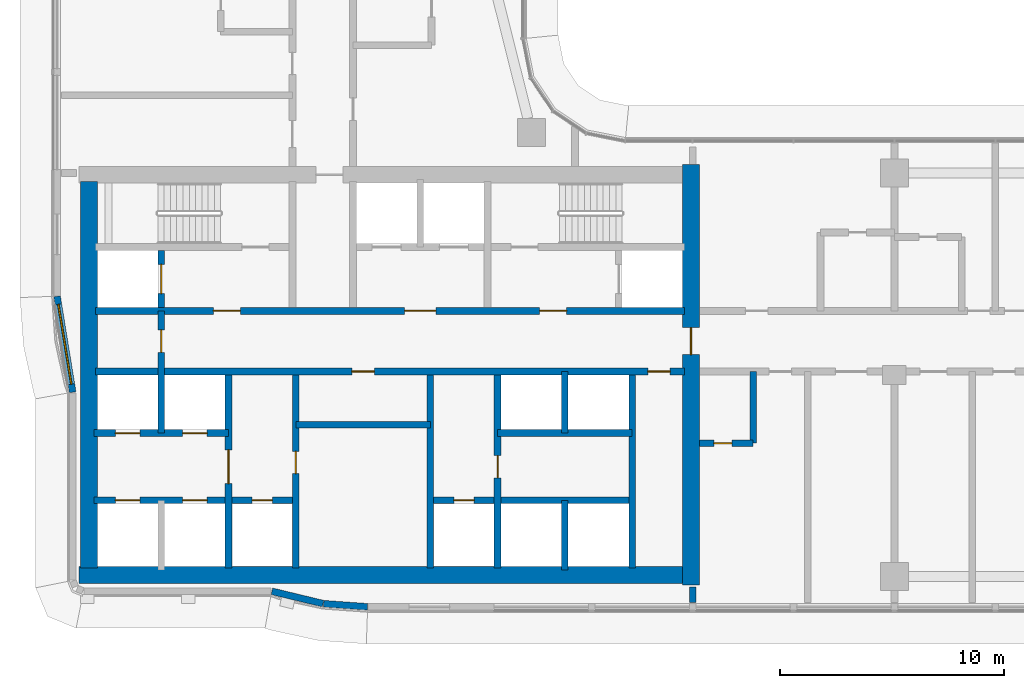
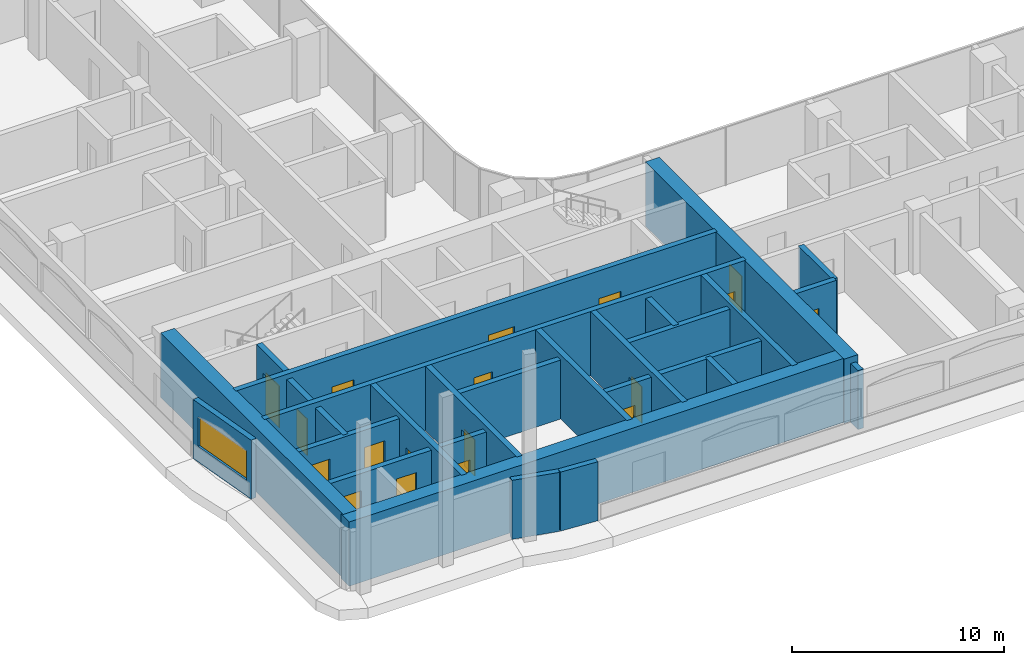
# One storey, part 9 of 25: 25 walls, 18 doors, 1 window, 19 openings.
"""IFC4 building model written with IfcOpenShell, lengths in metres."""

from ifc_helpers import new_model, si_unit, direction, frame, frame_2d, origin, place, context, subcontext, project, spatial, rectangle, extrude, material, layer, layer_set, type_object, element, fill, save


model = new_model("IFC4")

# Units and contexts
model_context = context("Model", 3, precision=1e-05, world=origin(), true_north=direction((0.0, 1.0)))
body_context = subcontext(model_context, "Body", "Model", "MODEL_VIEW")
ifc_project = project(units=[si_unit("LENGTHUNIT", "METRE"), si_unit("AREAUNIT", "SQUARE_METRE"), si_unit("VOLUMEUNIT", "CUBIC_METRE"), si_unit("PLANEANGLEUNIT", "RADIAN"), si_unit("MASSUNIT", "GRAM", prefix="KILO")], contexts=[model_context])

# Site, building, storey
site_placement = place(None, origin())
site = spatial("IfcSite", under=ifc_project, at=site_placement, CompositionType="ELEMENT")
building_placement = place(site_placement, origin())
building = spatial("IfcBuilding", under=site, at=building_placement, Name="Ogive Portal Towers", CompositionType="ELEMENT")
storey_placement = place(building_placement, frame((0.0, 0.0, 105.60009765625)))
storey = spatial("IfcBuildingStorey", under=building, at=storey_placement, Name="L25", CompositionType="ELEMENT", Elevation=105.60009765625)

# Wall, opening, door
ifc_material_1 = material(Name="Concrete C60/75", Category="concrete")
ifc_layer_1 = layer(ifc_material_1, 0.300048828125)
ifc_layer_set_1 = layer_set([ifc_layer_1], Name="CORE WALL 300 C60")
wall_type_1 = type_object("IfcWallType", Name="CORE WALL 300 C60", PredefinedType="SHEAR", material=ifc_layer_set_1)
wall_1_placement = place(storey_placement, frame((37.800048828125, 21.875, 0.0), z_axis=(0.0, 0.0, 1.0), x_axis=(0.0, 1.0, 0.0)))
wall_1 = element("IfcWall", 1, at=wall_1_placement, inside=storey, type_object=wall_type_1, Name="Core wall X1 L25", PredefinedType="SHEAR", context=body_context, shape_type="SweptSolid", body=[
    extrude(rectangle(XDim=8.625, YDim=0.300048828125, at=frame_2d((4.3125, 0.0))), origin(), (0.0, 0.0, 1.0), 3.699951171875),
])
opening_1_placement = place(wall_1_placement, frame((3.77490234375, 0.0, 0.0)))
opening_1 = element("IfcOpeningElement", 2, at=opening_1_placement, cuts=wall_1, Name="Opening D09-001", PredefinedType="OPENING", context=body_context, shape_type="SweptSolid", body=[
    extrude(rectangle(XDim=1.5, YDim=2.10009765625, at=frame_2d((0.75, 1.050048828125))), frame((0.0, 0.16015625, 0.0), z_axis=(0.0, -1.0, 0.0), x_axis=(1.0, 0.0, 0.0)), (0.0, 0.0, 1.0), 0.320068359375),
])
ifc_material_2 = material(Name="Steel fire door", Category="steel")
door_type_1 = type_object("IfcDoorType", Name="DT-SWING-1500x2100-FD90S", OperationType="SINGLE_SWING_LEFT", PredefinedType="DOOR", material=ifc_material_2)
door_1_placement = place(opening_1_placement, origin())
door_1 = element("IfcDoor", 3, at=door_1_placement, inside=storey, type_object=door_type_1, Name="Door D09-001", OperationType="SINGLE_SWING_LEFT", OverallHeight=2.10009765625, OverallWidth=1.5, PredefinedType="DOOR", context=body_context, shape_type="SweptSolid", body=[
    extrude(rectangle(XDim=1.5, YDim=2.10009765625, at=frame_2d((0.75, 1.050048828125))), frame((0.0, 0.02490234375, 0.0), z_axis=(0.0, -1.0, 0.0), x_axis=(1.0, 0.0, 0.0)), (0.0, 0.0, 1.0), 0.050048828125),
])
fill(opening_1, door_1)

wall_2_placement = place(storey_placement, frame((40.800048828125, 21.875, 0.0), z_axis=(0.0, 0.0, 1.0), x_axis=(0.0, 1.0, 0.0)))
wall_2 = element("IfcWall", 4, at=wall_2_placement, inside=storey, type_object=wall_type_1, Name="Core wall X2 L25", PredefinedType="SHEAR", context=body_context, shape_type="SweptSolid", body=[
    extrude(rectangle(XDim=8.625, YDim=0.300048828125, at=frame_2d((4.3125, 0.0))), origin(), (0.0, 0.0, 1.0), 3.699951171875),
])
opening_2_placement = place(wall_2_placement, frame((4.212890625, 0.0, 0.0)))
opening_2 = element("IfcOpeningElement", 5, at=opening_2_placement, cuts=wall_2, Name="Opening D09-021", PredefinedType="OPENING", context=body_context, shape_type="SweptSolid", body=[
    extrude(rectangle(XDim=1.0, YDim=2.10009765625, at=frame_2d((0.5, 1.050048828125))), frame((0.0, 0.16015625, 0.0), z_axis=(0.0, -1.0, 0.0), x_axis=(1.0, 0.0, 0.0)), (0.0, 0.0, 1.0), 0.320068359375),
])
door_type_2 = type_object("IfcDoorType", Name="DT-SWING-1000x2100-FD90S", OperationType="SINGLE_SWING_LEFT", PredefinedType="DOOR", material=ifc_material_2)
door_2_placement = place(opening_2_placement, origin())
door_2 = element("IfcDoor", 6, at=door_2_placement, inside=storey, type_object=door_type_2, Name="Door D09-021", OperationType="SINGLE_SWING_RIGHT", OverallHeight=2.10009765625, OverallWidth=1.0, PredefinedType="DOOR", context=body_context, shape_type="SweptSolid", body=[
    extrude(rectangle(XDim=1.0, YDim=2.10009765625, at=frame_2d((0.5, 1.050048828125))), frame((0.0, 0.02490234375, 0.0), z_axis=(0.0, -1.0, 0.0), x_axis=(1.0, 0.0, 0.0)), (0.0, 0.0, 1.0), 0.050048828125),
])
fill(opening_2, door_2)

# Wall
wall_3_placement = place(storey_placement, frame((46.800048828125, 21.875, 0.0), z_axis=(0.0, 0.0, 1.0), x_axis=(0.0, 1.0, 0.0)))
element("IfcWall", 7, at=wall_3_placement, inside=storey, type_object=wall_type_1, Name="Core wall X3 L25", PredefinedType="SHEAR", context=body_context, shape_type="SweptSolid", body=[
    extrude(rectangle(XDim=8.625, YDim=0.300048828125, at=frame_2d((4.3125, 0.0))), origin(), (0.0, 0.0, 1.0), 3.699951171875),
])

# Wall, opening, door
wall_4_placement = place(storey_placement, frame((49.800048828125, 21.875, 0.0), z_axis=(0.0, 0.0, 1.0), x_axis=(0.0, 1.0, 0.0)))
wall_4 = element("IfcWall", 8, at=wall_4_placement, inside=storey, type_object=wall_type_1, Name="Core wall X4 L25", PredefinedType="SHEAR", context=body_context, shape_type="SweptSolid", body=[
    extrude(rectangle(XDim=8.625, YDim=0.300048828125, at=frame_2d((4.3125, 0.0))), origin(), (0.0, 0.0, 1.0), 3.699951171875),
])
opening_3_placement = place(wall_4_placement, frame((4.02490234375, 0.0, 0.0)))
opening_3 = element("IfcOpeningElement", 9, at=opening_3_placement, cuts=wall_4, Name="Opening D09-022", PredefinedType="OPENING", context=body_context, shape_type="SweptSolid", body=[
    extrude(rectangle(XDim=1.0, YDim=2.10009765625, at=frame_2d((0.5, 1.050048828125))), frame((0.0, 0.16015625, 0.0), z_axis=(0.0, -1.0, 0.0), x_axis=(1.0, 0.0, 0.0)), (0.0, 0.0, 1.0), 0.320068359375),
])
door_3_placement = place(opening_3_placement, origin())
door_3 = element("IfcDoor", 10, at=door_3_placement, inside=storey, type_object=door_type_2, Name="Door D09-022", OperationType="SINGLE_SWING_LEFT", OverallHeight=2.10009765625, OverallWidth=1.0, PredefinedType="DOOR", context=body_context, shape_type="SweptSolid", body=[
    extrude(rectangle(XDim=1.0, YDim=2.10009765625, at=frame_2d((0.5, 1.050048828125))), frame((0.0, 0.02490234375, 0.0), z_axis=(0.0, -1.0, 0.0), x_axis=(1.0, 0.0, 0.0)), (0.0, 0.0, 1.0), 0.050048828125),
])
fill(opening_3, door_3)

# Wall
wall_5_placement = place(storey_placement, frame((55.800048828125, 21.875, 0.0), z_axis=(0.0, 0.0, 1.0), x_axis=(0.0, 1.0, 0.0)))
element("IfcWall", 11, at=wall_5_placement, inside=storey, type_object=wall_type_1, Name="Core wall X5 L25", PredefinedType="SHEAR", context=body_context, shape_type="SweptSolid", body=[
    extrude(rectangle(XDim=8.625, YDim=0.300048828125, at=frame_2d((4.3125, 0.0))), origin(), (0.0, 0.0, 1.0), 3.699951171875),
])

# Wall, openings, doors
wall_6_placement = place(storey_placement, frame((31.875, 30.64990234375, 0.0), z_axis=(0.0, 0.0, 1.0), x_axis=(1.0, 0.0, 0.0)))
wall_6 = element("IfcWall", 12, at=wall_6_placement, inside=storey, type_object=wall_type_1, Name="Core wall Y1 L25", PredefinedType="SHEAR", context=body_context, shape_type="SweptSolid", body=[
    extrude(rectangle(XDim=26.25, YDim=0.300048828125, at=frame_2d((13.125, 0.0))), origin(), (0.0, 0.0, 1.0), 3.699951171875),
])
opening_4_placement = place(wall_6_placement, frame((24.625, 0.0, 0.0)))
opening_4 = element("IfcOpeningElement", 13, at=opening_4_placement, cuts=wall_6, Name="Opening D09-009", PredefinedType="OPENING", context=body_context, shape_type="SweptSolid", body=[
    extrude(rectangle(XDim=1.0, YDim=2.10009765625, at=frame_2d((0.5, 1.050048828125))), frame((0.0, 0.16015625, 0.0), z_axis=(0.0, -1.0, 0.0), x_axis=(1.0, 0.0, 0.0)), (0.0, 0.0, 1.0), 0.320068359375),
])
opening_5_placement = place(wall_6_placement, frame((11.425048828125, 0.0, 0.0)))
opening_5 = element("IfcOpeningElement", 14, at=opening_5_placement, cuts=wall_6, Name="Opening D09-020", PredefinedType="OPENING", context=body_context, shape_type="SweptSolid", body=[
    extrude(rectangle(XDim=1.0, YDim=2.10009765625, at=frame_2d((0.5, 1.050048828125))), frame((0.0, 0.16015625, 0.0), z_axis=(0.0, -1.0, 0.0), x_axis=(1.0, 0.0, 0.0)), (0.0, 0.0, 1.0), 0.320068359375),
])
door_4_placement = place(opening_4_placement, origin())
door_4 = element("IfcDoor", 15, at=door_4_placement, inside=storey, type_object=door_type_2, Name="Door D09-009", OperationType="SINGLE_SWING_LEFT", OverallHeight=2.10009765625, OverallWidth=1.0, PredefinedType="DOOR", context=body_context, shape_type="SweptSolid", body=[
    extrude(rectangle(XDim=1.0, YDim=2.10009765625, at=frame_2d((0.5, 1.050048828125))), frame((0.0, 0.02490234375, 0.0), z_axis=(0.0, -1.0, 0.0), x_axis=(1.0, 0.0, 0.0)), (0.0, 0.0, 1.0), 0.050048828125),
])
fill(opening_4, door_4)
door_5_placement = place(opening_5_placement, origin())
door_5 = element("IfcDoor", 16, at=door_5_placement, inside=storey, type_object=door_type_2, Name="Riser access door D09-020", OperationType="SINGLE_SWING_LEFT", OverallHeight=2.10009765625, OverallWidth=1.0, PredefinedType="DOOR", context=body_context, shape_type="SweptSolid", body=[
    extrude(rectangle(XDim=1.0, YDim=2.10009765625, at=frame_2d((0.5, 1.050048828125))), frame((0.0, 0.02490234375, 0.0), z_axis=(0.0, -1.0, 0.0), x_axis=(1.0, 0.0, 0.0)), (0.0, 0.0, 1.0), 0.050048828125),
])
fill(opening_5, door_5)

wall_7_placement = place(storey_placement, frame((31.875, 33.35009765625, 0.0), z_axis=(0.0, 0.0, 1.0), x_axis=(1.0, 0.0, 0.0)))
wall_7 = element("IfcWall", 17, at=wall_7_placement, inside=storey, type_object=wall_type_1, Name="Core wall Y2 L25", PredefinedType="SHEAR", context=body_context, shape_type="SweptSolid", body=[
    extrude(rectangle(XDim=26.25, YDim=0.300048828125, at=frame_2d((13.125, 0.0))), origin(), (0.0, 0.0, 1.0), 3.699951171875),
])
opening_6_placement = place(wall_7_placement, frame((13.77490234375, 0.0, 0.0)))
opening_6 = element("IfcOpeningElement", 18, at=opening_6_placement, cuts=wall_7, Name="Opening D09-002", PredefinedType="OPENING", context=body_context, shape_type="SweptSolid", body=[
    extrude(rectangle(XDim=1.39990234375, YDim=2.10009765625, at=frame_2d((0.699951171875, 1.050048828125))), frame((0.0, 0.16015625, 0.0), z_axis=(0.0, -1.0, 0.0), x_axis=(1.0, 0.0, 0.0)), (0.0, 0.0, 1.0), 0.320068359375),
])
opening_7_placement = place(wall_7_placement, frame((5.25, 0.0, 0.0)))
opening_7 = element("IfcOpeningElement", 19, at=opening_7_placement, cuts=wall_7, Name="Opening D09-003", PredefinedType="OPENING", context=body_context, shape_type="SweptSolid", body=[
    extrude(rectangle(XDim=1.199951171875, YDim=2.10009765625, at=frame_2d((0.60009765625, 1.050048828125))), frame((0.0, 0.16015625, 0.0), z_axis=(0.0, -1.0, 0.0), x_axis=(1.0, 0.0, 0.0)), (0.0, 0.0, 1.0), 0.320068359375),
])
opening_8_placement = place(wall_7_placement, frame((19.800048828125, 0.0, 0.0)))
opening_8 = element("IfcOpeningElement", 20, at=opening_8_placement, cuts=wall_7, Name="Opening D09-004", PredefinedType="OPENING", context=body_context, shape_type="SweptSolid", body=[
    extrude(rectangle(XDim=1.199951171875, YDim=2.10009765625, at=frame_2d((0.60009765625, 1.050048828125))), frame((0.0, 0.16015625, 0.0), z_axis=(0.0, -1.0, 0.0), x_axis=(1.0, 0.0, 0.0)), (0.0, 0.0, 1.0), 0.320068359375),
])
door_type_3 = type_object("IfcDoorType", Name="DT-SWING-1200x2100-FD90S", OperationType="SINGLE_SWING_LEFT", PredefinedType="DOOR", material=ifc_material_2)
door_6_placement = place(opening_7_placement, origin())
door_6 = element("IfcDoor", 21, at=door_6_placement, inside=storey, type_object=door_type_3, Name="Door D09-003", OperationType="SINGLE_SWING_LEFT", OverallHeight=2.10009765625, OverallWidth=1.199951171875, PredefinedType="DOOR", context=body_context, shape_type="SweptSolid", body=[
    extrude(rectangle(XDim=1.199951171875, YDim=2.10009765625, at=frame_2d((0.60009765625, 1.050048828125))), frame((0.0, 0.02490234375, 0.0), z_axis=(0.0, -1.0, 0.0), x_axis=(1.0, 0.0, 0.0)), (0.0, 0.0, 1.0), 0.050048828125),
])
fill(opening_7, door_6)
door_7_placement = place(opening_8_placement, origin())
door_7 = element("IfcDoor", 22, at=door_7_placement, inside=storey, type_object=door_type_3, Name="Door D09-004", OperationType="SINGLE_SWING_RIGHT", OverallHeight=2.10009765625, OverallWidth=1.199951171875, PredefinedType="DOOR", context=body_context, shape_type="SweptSolid", body=[
    extrude(rectangle(XDim=1.199951171875, YDim=2.10009765625, at=frame_2d((0.60009765625, 1.050048828125))), frame((0.0, 0.02490234375, 0.0), z_axis=(0.0, -1.0, 0.0), x_axis=(1.0, 0.0, 0.0)), (0.0, 0.0, 1.0), 0.050048828125),
])
fill(opening_8, door_7)
door_type_4 = type_object("IfcDoorType", Name="DT-SWING-1400x2100-FD90S", OperationType="SINGLE_SWING_LEFT", PredefinedType="DOOR", material=ifc_material_2)
door_8_placement = place(opening_6_placement, origin())
door_8 = element("IfcDoor", 23, at=door_8_placement, inside=storey, type_object=door_type_4, Name="Door D09-002", OperationType="SINGLE_SWING_RIGHT", OverallHeight=2.10009765625, OverallWidth=1.39990234375, PredefinedType="DOOR", context=body_context, shape_type="SweptSolid", body=[
    extrude(rectangle(XDim=1.39990234375, YDim=2.10009765625, at=frame_2d((0.699951171875, 1.050048828125))), frame((0.0, 0.02490234375, 0.0), z_axis=(0.0, -1.0, 0.0), x_axis=(1.0, 0.0, 0.0)), (0.0, 0.0, 1.0), 0.050048828125),
])
fill(opening_6, door_8)

# Wall, opening, door
wall_8_placement = place(storey_placement, frame((34.800048828125, 33.5, 0.0), z_axis=(0.0, 0.0, 1.0), x_axis=(0.0, 1.0, 0.0)))
wall_8 = element("IfcWall", 24, at=wall_8_placement, inside=storey, type_object=wall_type_1, Name="Core wall X8 L25", PredefinedType="SHEAR", context=body_context, shape_type="SweptSolid", body=[
    extrude(rectangle(XDim=2.550048828125, YDim=0.300048828125, at=frame_2d((1.27490234375, 0.0))), origin(), (0.0, 0.0, 1.0), 3.699951171875),
])
opening_9_placement = place(wall_8_placement, frame((0.625, 0.0, 0.0)))
opening_9 = element("IfcOpeningElement", 25, at=opening_9_placement, cuts=wall_8, Name="Opening D09-018", PredefinedType="OPENING", context=body_context, shape_type="SweptSolid", body=[
    extrude(rectangle(XDim=1.300048828125, YDim=2.39990234375, at=frame_2d((0.64990234375, 1.199951171875))), frame((0.0, 0.16015625, 0.0), z_axis=(0.0, -1.0, 0.0), x_axis=(1.0, 0.0, 0.0)), (0.0, 0.0, 1.0), 0.320068359375),
])
ifc_material_3 = material(Name="Stainless steel", Category="steel")
door_type_5 = type_object("IfcDoorType", Name="DT-LD-1300x2400", OperationType="SLIDING_TO_LEFT", PredefinedType="DOOR", material=ifc_material_3)
door_9_placement = place(opening_9_placement, origin())
door_9 = element("IfcDoor", 26, at=door_9_placement, inside=storey, type_object=door_type_5, Name="Door D09-018", OperationType="SLIDING_TO_LEFT", OverallHeight=2.39990234375, OverallWidth=1.300048828125, PredefinedType="DOOR", context=body_context, shape_type="SweptSolid", body=[
    extrude(rectangle(XDim=1.300048828125, YDim=2.39990234375, at=frame_2d((0.64990234375, 1.199951171875))), frame((0.0, 0.02490234375, 0.0), z_axis=(0.0, -1.0, 0.0), x_axis=(1.0, 0.0, 0.0)), (0.0, 0.0, 1.0), 0.050048828125),
])
fill(opening_9, door_9)

# Walls
ifc_layer_2 = layer(ifc_material_1, 0.75)
ifc_layer_set_2 = layer_set([ifc_layer_2], Name="CORE WALL 750 C60")
wall_type_2 = type_object("IfcWallType", Name="CORE WALL 750 C60", PredefinedType="SHEAR", material=ifc_layer_set_2)
wall_9_placement = place(storey_placement, frame((31.574951171875, 21.875, 0.0), z_axis=(0.0, 0.0, 1.0), x_axis=(0.0, 1.0, 0.0)))
element("IfcWall", 27, at=wall_9_placement, inside=storey, type_object=wall_type_2, Name="Core wall W L25", PredefinedType="SHEAR", context=body_context, shape_type="SweptSolid", body=[
    extrude(rectangle(XDim=17.25, YDim=0.75, at=frame_2d((8.625, 0.0))), origin(), (0.0, 0.0, 1.0), 3.699951171875),
])
wall_10_placement = place(storey_placement, frame((31.125, 21.574951171875, 0.0), z_axis=(0.0, 0.0, 1.0), x_axis=(1.0, 0.0, 0.0)))
element("IfcWall", 28, at=wall_10_placement, inside=storey, type_object=wall_type_2, Name="Core wall S L25", PredefinedType="SHEAR", context=body_context, shape_type="SweptSolid", body=[
    extrude(rectangle(XDim=27.0, YDim=0.75, at=frame_2d((13.5, 0.0))), origin(), (0.0, 0.0, 1.0), 3.699951171875),
])

# Wall, opening, door
wall_11_placement = place(storey_placement, frame((58.425048828125, 21.125, 0.0), z_axis=(0.0, 0.0, 1.0), x_axis=(0.0, 1.0, 0.0)))
wall_11 = element("IfcWall", 29, at=wall_11_placement, inside=storey, type_object=wall_type_2, Name="Core wall E L25", PredefinedType="SHEAR", context=body_context, shape_type="SweptSolid", body=[
    extrude(rectangle(XDim=18.75, YDim=0.75, at=frame_2d((9.375, 0.0))), origin(), (0.0, 0.0, 1.0), 3.699951171875),
])
opening_10_placement = place(wall_11_placement, frame((10.27490234375, 0.0, 0.0)))
opening_10 = element("IfcOpeningElement", 30, at=opening_10_placement, cuts=wall_11, Name="Opening D09-010", PredefinedType="OPENING", context=body_context, shape_type="SweptSolid", body=[
    extrude(rectangle(XDim=1.199951171875, YDim=2.10009765625, at=frame_2d((0.60009765625, 1.050048828125))), frame((0.0, 0.385009765625, 0.0), z_axis=(0.0, -1.0, 0.0), x_axis=(1.0, 0.0, 0.0)), (0.0, 0.0, 1.0), 0.77001953125),
])
door_10_placement = place(opening_10_placement, origin())
door_10 = element("IfcDoor", 31, at=door_10_placement, inside=storey, type_object=door_type_3, Name="Door D09-010", OperationType="SINGLE_SWING_LEFT", OverallHeight=2.10009765625, OverallWidth=1.199951171875, PredefinedType="DOOR", context=body_context, shape_type="SweptSolid", body=[
    extrude(rectangle(XDim=1.199951171875, YDim=2.10009765625, at=frame_2d((0.60009765625, 1.050048828125))), frame((0.0, 0.02490234375, 0.0), z_axis=(0.0, -1.0, 0.0), x_axis=(1.0, 0.0, 0.0)), (0.0, 0.0, 1.0), 0.050048828125),
])
fill(opening_10, door_10)

# Walls
ifc_material_4 = material(Name="Limestone cladding on lightweight block wall", Category="masonry")
ifc_layer_3 = layer(ifc_material_4, 0.300048828125)
ifc_layer_set_3 = layer_set([ifc_layer_3], Name="EXTERNAL WALL 300 STONE")
wall_type_3 = type_object("IfcWallType", Name="EXTERNAL WALL 300 STONE", PredefinedType="SOLIDWALL", material=ifc_layer_set_3)
wall_12_placement = place(storey_placement, frame((39.734619140625, 20.845703125, 0.0), z_axis=(0.0, 0.0, 1.0), x_axis=(0.97206095595, -0.234728562212, 0.0)))
element("IfcWall", 32, at=wall_12_placement, inside=storey, type_object=wall_type_3, Name="A:L25:f04:r0:wall", PredefinedType="SOLIDWALL", context=body_context, shape_type="SweptSolid", body=[
    extrude(rectangle(XDim=2.349609375, YDim=0.300048828125, at=frame_2d((1.1748046875, 0.0))), origin(), (0.0, 0.0, 1.0), 3.39990234375),
])
wall_13_placement = place(storey_placement, frame((42.043212890625, 20.290283203125, 0.0), z_axis=(0.0, 0.0, 1.0), x_axis=(0.997454275884, -0.071308958214, 0.0)))
element("IfcWall", 33, at=wall_13_placement, inside=storey, type_object=wall_type_3, Name="A:L25:f05:r0:wall", PredefinedType="SOLIDWALL", context=body_context, shape_type="SweptSolid", body=[
    extrude(rectangle(XDim=1.961669921875, YDim=0.300048828125, at=frame_2d((0.98095703125, 0.0))), origin(), (0.0, 0.0, 1.0), 3.39990234375),
])

# Wall, opening, window
wall_14_placement = place(storey_placement, frame((30.15185546875, 34.000244140625, 0.0), z_axis=(0.0, 0.0, 1.0), x_axis=(0.160697303067, -0.987003736967, 0.0)))
wall_14 = element("IfcWall", 34, at=wall_14_placement, inside=storey, type_object=wall_type_3, Name="A:L25:f25:r0:wall", PredefinedType="SOLIDWALL", context=body_context, shape_type="SweptSolid", body=[
    extrude(rectangle(XDim=4.3330078125, YDim=0.300048828125, at=frame_2d((2.16650390625, 0.0))), origin(), (0.0, 0.0, 1.0), 3.39990234375),
])
opening_11_placement = place(wall_14_placement, frame((0.366455078125, 0.0, 0.89990234375)))
opening_11 = element("IfcOpeningElement", 35, at=opening_11_placement, cuts=wall_14, Name="Opening WN14", PredefinedType="OPENING", context=body_context, shape_type="SweptSolid", body=[
    extrude(rectangle(XDim=3.60009765625, YDim=1.699951171875, at=frame_2d((1.800048828125, 0.85009765625))), frame((0.0, 0.16015625, 0.0), z_axis=(0.0, -1.0, 0.0), x_axis=(1.0, 0.0, 0.0)), (0.0, 0.0, 1.0), 0.320068359375),
])
ifc_material_5 = material(Name="Glass, clear low-iron insulated glazing", Category="glass")
window_type = type_object("IfcWindowType", Name="WINDOW RIBBON LANCET 3600x1700", PartitioningType="TRIPLE_PANEL_VERTICAL", PredefinedType="WINDOW", material=ifc_material_5)
window_placement = place(opening_11_placement, origin())
window = element("IfcWindow", 36, at=window_placement, inside=storey, type_object=window_type, Name="A:L25:f25:r0:w0", OverallHeight=1.699951171875, OverallWidth=3.60009765625, PartitioningType="SINGLE_PANEL", PredefinedType="WINDOW", context=body_context, shape_type="SweptSolid", body=[
    extrude(rectangle(XDim=3.60009765625, YDim=1.699951171875, at=frame_2d((1.800048828125, 0.85009765625))), frame((0.0, 0.030029296875, 0.0), z_axis=(0.0, -1.0, 0.0), x_axis=(1.0, 0.0, 0.0)), (0.0, 0.0, 1.0), 0.06005859375),
])
fill(opening_11, window)

# Wall
ifc_material_6 = material(Name="Gypsum board partition on steel studs", Category="steel")
ifc_layer_4 = layer(ifc_material_6, 0.300048828125)
ifc_layer_set_4 = layer_set([ifc_layer_4], Name="WT-PART-300")
wall_type_4 = type_object("IfcWallType", Name="WT-PART-300", PredefinedType="PARTITIONING", material=ifc_layer_set_4)
wall_15_placement = place(storey_placement, frame((40.800048828125, 28.277099609375, 0.0), z_axis=(0.0, 0.0, 1.0), x_axis=(1.0, 0.0, 0.0)))
element("IfcWall", 37, at=wall_15_placement, inside=storey, type_object=wall_type_4, Name="Wall pw:005:L25", PredefinedType="PARTITIONING", context=body_context, shape_type="SweptSolid", body=[
    extrude(rectangle(XDim=6.0, YDim=0.300048828125, at=frame_2d((3.0, 0.0))), origin(), (0.0, 0.0, 1.0), 3.39990234375),
])

# Wall, opening, door
ifc_layer_5 = layer(ifc_material_6, 0.300048828125)
ifc_layer_set_5 = layer_set([ifc_layer_5], Name="WT-PART-300-EI 60")
wall_type_5 = type_object("IfcWallType", Name="WT-PART-300-EI 60", PredefinedType="PARTITIONING", material=ifc_layer_set_5)
wall_16_placement = place(storey_placement, frame((58.800048828125, 27.449951171875, 0.0), z_axis=(0.0, 0.0, 1.0), x_axis=(1.0, 0.0, 0.0)))
wall_16 = element("IfcWall", 38, at=wall_16_placement, inside=storey, type_object=wall_type_5, Name="Wall L25:w004", PredefinedType="PARTITIONING", context=body_context, shape_type="SweptSolid", body=[
    extrude(rectangle(XDim=2.39990234375, YDim=0.300048828125, at=frame_2d((1.199951171875, 0.0))), origin(), (0.0, 0.0, 1.0), 3.39990234375),
])
opening_12_placement = place(wall_16_placement, frame((0.64990234375, 0.0, 0.0)))
opening_12 = element("IfcOpeningElement", 39, at=opening_12_placement, cuts=wall_16, Name="Opening D09-026", PredefinedType="OPENING", context=body_context, shape_type="SweptSolid", body=[
    extrude(rectangle(XDim=0.800048828125, YDim=2.10009765625, at=frame_2d((0.39990234375, 1.050048828125))), frame((0.0, 0.16015625, 0.0), z_axis=(0.0, -1.0, 0.0), x_axis=(1.0, 0.0, 0.0)), (0.0, 0.0, 1.0), 0.320068359375),
])
door_type_6 = type_object("IfcDoorType", Name="DT-BATH-800x2100-FD60S", OperationType="SINGLE_SWING_LEFT", PredefinedType="DOOR", material=ifc_material_2)
door_11_placement = place(opening_12_placement, origin())
door_11 = element("IfcDoor", 40, at=door_11_placement, inside=storey, type_object=door_type_6, Name="Door D09-026", OperationType="SINGLE_SWING_LEFT", OverallHeight=2.10009765625, OverallWidth=0.800048828125, PredefinedType="DOOR", context=body_context, shape_type="SweptSolid", body=[
    extrude(rectangle(XDim=0.800048828125, YDim=2.10009765625, at=frame_2d((0.39990234375, 1.050048828125))), frame((0.0, 0.02490234375, 0.0), z_axis=(0.0, -1.0, 0.0), x_axis=(1.0, 0.0, 0.0)), (0.0, 0.0, 1.0), 0.050048828125),
])
fill(opening_12, door_11)

# Walls
wall_17_placement = place(storey_placement, frame((58.5, 20.35009765625, 0.0), z_axis=(0.0, 0.0, 1.0), x_axis=(0.0, 1.0, 0.0)))
element("IfcWall", 41, at=wall_17_placement, inside=storey, type_object=wall_type_5, Name="Wall L25:w044", PredefinedType="PARTITIONING", context=body_context, shape_type="SweptSolid", body=[
    extrude(rectangle(XDim=0.679931640625, YDim=0.300048828125, at=frame_2d((0.33984375, 0.0))), origin(), (0.0, 0.0, 1.0), 3.39990234375),
])
wall_18_placement = place(storey_placement, frame((61.199951171875, 27.449951171875, 0.0), z_axis=(0.0, 0.0, 1.0), x_axis=(0.0, 1.0, 0.0)))
element("IfcWall", 42, at=wall_18_placement, inside=storey, type_object=wall_type_5, Name="Wall L25:w046", PredefinedType="PARTITIONING", context=body_context, shape_type="SweptSolid", body=[
    extrude(rectangle(XDim=3.199951171875, YDim=0.300048828125, at=frame_2d((1.60009765625, 0.0))), origin(), (0.0, 0.0, 1.0), 3.39990234375),
])

# Wall, openings, doors
ifc_material_7 = material(Name="Concrete C40/50", Category="concrete")
ifc_layer_6 = layer(ifc_material_7, 0.300048828125)
ifc_layer_set_6 = layer_set([ifc_layer_6], Name="WT-SHAFT-300")
wall_type_6 = type_object("IfcWallType", Name="WT-SHAFT-300", PredefinedType="SOLIDWALL", material=ifc_layer_set_6)
wall_19_placement = place(storey_placement, frame((31.800048828125, 24.89990234375, 0.0), z_axis=(0.0, 0.0, 1.0), x_axis=(1.0, 0.0, 0.0)))
wall_19 = element("IfcWall", 43, at=wall_19_placement, inside=storey, type_object=wall_type_6, Name="Wall pw:001:L25", PredefinedType="SOLIDWALL", context=body_context, shape_type="SweptSolid", body=[
    extrude(rectangle(XDim=9.0, YDim=0.300048828125, at=frame_2d((4.5, 0.0))), origin(), (0.0, 0.0, 1.0), 3.39990234375),
])
opening_13_placement = place(wall_19_placement, frame((7.050048828125, 0.0, 0.0)))
opening_13 = element("IfcOpeningElement", 44, at=opening_13_placement, cuts=wall_19, Name="Opening D09-007", PredefinedType="OPENING", context=body_context, shape_type="SweptSolid", body=[
    extrude(rectangle(XDim=0.89990234375, YDim=2.10009765625, at=frame_2d((0.449951171875, 1.050048828125))), frame((0.0, 0.16015625, 0.0), z_axis=(0.0, -1.0, 0.0), x_axis=(1.0, 0.0, 0.0)), (0.0, 0.0, 1.0), 0.320068359375),
])
opening_14_placement = place(wall_19_placement, frame((0.949951171875, 0.0, 0.0)))
opening_14 = element("IfcOpeningElement", 45, at=opening_14_placement, cuts=wall_19, Name="Opening D09-012", PredefinedType="OPENING", context=body_context, shape_type="SweptSolid", body=[
    extrude(rectangle(XDim=1.10009765625, YDim=2.39990234375, at=frame_2d((0.550048828125, 1.199951171875))), frame((0.0, 0.16015625, 0.0), z_axis=(0.0, -1.0, 0.0), x_axis=(1.0, 0.0, 0.0)), (0.0, 0.0, 1.0), 0.320068359375),
])
opening_15_placement = place(wall_19_placement, frame((3.949951171875, 0.0, 0.0)))
opening_15 = element("IfcOpeningElement", 46, at=opening_15_placement, cuts=wall_19, Name="Opening D09-013", PredefinedType="OPENING", context=body_context, shape_type="SweptSolid", body=[
    extrude(rectangle(XDim=1.10009765625, YDim=2.39990234375, at=frame_2d((0.550048828125, 1.199951171875))), frame((0.0, 0.16015625, 0.0), z_axis=(0.0, -1.0, 0.0), x_axis=(1.0, 0.0, 0.0)), (0.0, 0.0, 1.0), 0.320068359375),
])
door_type_7 = type_object("IfcDoorType", Name="DT-LD-1100x2400", OperationType="SLIDING_TO_LEFT", PredefinedType="DOOR", material=ifc_material_3)
door_12_placement = place(opening_14_placement, origin())
door_12 = element("IfcDoor", 47, at=door_12_placement, inside=storey, type_object=door_type_7, Name="Door D09-012", OperationType="SLIDING_TO_LEFT", OverallHeight=2.39990234375, OverallWidth=1.10009765625, PredefinedType="DOOR", context=body_context, shape_type="SweptSolid", body=[
    extrude(rectangle(XDim=1.10009765625, YDim=2.39990234375, at=frame_2d((0.550048828125, 1.199951171875))), frame((0.0, 0.02490234375, 0.0), z_axis=(0.0, -1.0, 0.0), x_axis=(1.0, 0.0, 0.0)), (0.0, 0.0, 1.0), 0.050048828125),
])
fill(opening_14, door_12)
door_13_placement = place(opening_15_placement, origin())
door_13 = element("IfcDoor", 48, at=door_13_placement, inside=storey, type_object=door_type_7, Name="Door D09-013", OperationType="SLIDING_TO_LEFT", OverallHeight=2.39990234375, OverallWidth=1.10009765625, PredefinedType="DOOR", context=body_context, shape_type="SweptSolid", body=[
    extrude(rectangle(XDim=1.10009765625, YDim=2.39990234375, at=frame_2d((0.550048828125, 1.199951171875))), frame((0.0, 0.02490234375, 0.0), z_axis=(0.0, -1.0, 0.0), x_axis=(1.0, 0.0, 0.0)), (0.0, 0.0, 1.0), 0.050048828125),
])
fill(opening_15, door_13)
door_type_8 = type_object("IfcDoorType", Name="DT-SWING-900x2100-FD90S", OperationType="SINGLE_SWING_LEFT", PredefinedType="DOOR", material=ifc_material_2)
door_14_placement = place(opening_13_placement, origin())
door_14 = element("IfcDoor", 49, at=door_14_placement, inside=storey, type_object=door_type_8, Name="Riser access door D09-007", OperationType="SINGLE_SWING_LEFT", OverallHeight=2.10009765625, OverallWidth=0.89990234375, PredefinedType="DOOR", context=body_context, shape_type="SweptSolid", body=[
    extrude(rectangle(XDim=0.89990234375, YDim=2.10009765625, at=frame_2d((0.449951171875, 1.050048828125))), frame((0.0, 0.02490234375, 0.0), z_axis=(0.0, -1.0, 0.0), x_axis=(1.0, 0.0, 0.0)), (0.0, 0.0, 1.0), 0.050048828125),
])
fill(opening_13, door_14)

# Wall, opening, door
wall_20_placement = place(storey_placement, frame((46.800048828125, 24.89990234375, 0.0), z_axis=(0.0, 0.0, 1.0), x_axis=(1.0, 0.0, 0.0)))
wall_20 = element("IfcWall", 50, at=wall_20_placement, inside=storey, type_object=wall_type_6, Name="Wall pw:002:L25", PredefinedType="SOLIDWALL", context=body_context, shape_type="SweptSolid", body=[
    extrude(rectangle(XDim=9.0, YDim=0.300048828125, at=frame_2d((4.5, 0.0))), origin(), (0.0, 0.0, 1.0), 3.39990234375),
])
opening_16_placement = place(wall_20_placement, frame((1.050048828125, 0.0, 0.0)))
opening_16 = element("IfcOpeningElement", 51, at=opening_16_placement, cuts=wall_20, Name="Opening D09-008", PredefinedType="OPENING", context=body_context, shape_type="SweptSolid", body=[
    extrude(rectangle(XDim=0.89990234375, YDim=2.10009765625, at=frame_2d((0.449951171875, 1.050048828125))), frame((0.0, 0.16015625, 0.0), z_axis=(0.0, -1.0, 0.0), x_axis=(1.0, 0.0, 0.0)), (0.0, 0.0, 1.0), 0.320068359375),
])
door_15_placement = place(opening_16_placement, origin())
door_15 = element("IfcDoor", 52, at=door_15_placement, inside=storey, type_object=door_type_8, Name="Riser access door D09-008", OperationType="SINGLE_SWING_RIGHT", OverallHeight=2.10009765625, OverallWidth=0.89990234375, PredefinedType="DOOR", context=body_context, shape_type="SweptSolid", body=[
    extrude(rectangle(XDim=0.89990234375, YDim=2.10009765625, at=frame_2d((0.449951171875, 1.050048828125))), frame((0.0, 0.02490234375, 0.0), z_axis=(0.0, -1.0, 0.0), x_axis=(1.0, 0.0, 0.0)), (0.0, 0.0, 1.0), 0.050048828125),
])
fill(opening_16, door_15)

# Wall, openings, doors
wall_21_placement = place(storey_placement, frame((31.800048828125, 27.89990234375, 0.0), z_axis=(0.0, 0.0, 1.0), x_axis=(1.0, 0.0, 0.0)))
wall_21 = element("IfcWall", 53, at=wall_21_placement, inside=storey, type_object=wall_type_6, Name="Wall pw:003:L25", PredefinedType="SOLIDWALL", context=body_context, shape_type="SweptSolid", body=[
    extrude(rectangle(XDim=6.0, YDim=0.300048828125, at=frame_2d((3.0, 0.0))), origin(), (0.0, 0.0, 1.0), 3.39990234375),
])
opening_17_placement = place(wall_21_placement, frame((0.949951171875, 0.0, 0.0)))
opening_17 = element("IfcOpeningElement", 54, at=opening_17_placement, cuts=wall_21, Name="Opening D09-014", PredefinedType="OPENING", context=body_context, shape_type="SweptSolid", body=[
    extrude(rectangle(XDim=1.10009765625, YDim=2.39990234375, at=frame_2d((0.550048828125, 1.199951171875))), frame((0.0, 0.16015625, 0.0), z_axis=(0.0, -1.0, 0.0), x_axis=(1.0, 0.0, 0.0)), (0.0, 0.0, 1.0), 0.320068359375),
])
opening_18_placement = place(wall_21_placement, frame((3.949951171875, 0.0, 0.0)))
opening_18 = element("IfcOpeningElement", 55, at=opening_18_placement, cuts=wall_21, Name="Opening D09-015", PredefinedType="OPENING", context=body_context, shape_type="SweptSolid", body=[
    extrude(rectangle(XDim=1.10009765625, YDim=2.39990234375, at=frame_2d((0.550048828125, 1.199951171875))), frame((0.0, 0.16015625, 0.0), z_axis=(0.0, -1.0, 0.0), x_axis=(1.0, 0.0, 0.0)), (0.0, 0.0, 1.0), 0.320068359375),
])
door_16_placement = place(opening_17_placement, origin())
door_16 = element("IfcDoor", 56, at=door_16_placement, inside=storey, type_object=door_type_7, Name="Door D09-014", OperationType="SLIDING_TO_LEFT", OverallHeight=2.39990234375, OverallWidth=1.10009765625, PredefinedType="DOOR", context=body_context, shape_type="SweptSolid", body=[
    extrude(rectangle(XDim=1.10009765625, YDim=2.39990234375, at=frame_2d((0.550048828125, 1.199951171875))), frame((0.0, 0.02490234375, 0.0), z_axis=(0.0, -1.0, 0.0), x_axis=(1.0, 0.0, 0.0)), (0.0, 0.0, 1.0), 0.050048828125),
])
fill(opening_17, door_16)
door_17_placement = place(opening_18_placement, origin())
door_17 = element("IfcDoor", 57, at=door_17_placement, inside=storey, type_object=door_type_7, Name="Door D09-015", OperationType="SLIDING_TO_LEFT", OverallHeight=2.39990234375, OverallWidth=1.10009765625, PredefinedType="DOOR", context=body_context, shape_type="SweptSolid", body=[
    extrude(rectangle(XDim=1.10009765625, YDim=2.39990234375, at=frame_2d((0.550048828125, 1.199951171875))), frame((0.0, 0.02490234375, 0.0), z_axis=(0.0, -1.0, 0.0), x_axis=(1.0, 0.0, 0.0)), (0.0, 0.0, 1.0), 0.050048828125),
])
fill(opening_18, door_17)

# Wall
wall_22_placement = place(storey_placement, frame((49.800048828125, 27.89990234375, 0.0), z_axis=(0.0, 0.0, 1.0), x_axis=(1.0, 0.0, 0.0)))
element("IfcWall", 58, at=wall_22_placement, inside=storey, type_object=wall_type_6, Name="Wall pw:004:L25", PredefinedType="SOLIDWALL", context=body_context, shape_type="SweptSolid", body=[
    extrude(rectangle(XDim=6.0, YDim=0.300048828125, at=frame_2d((3.0, 0.0))), origin(), (0.0, 0.0, 1.0), 3.39990234375),
])

# Wall, opening, door
wall_23_placement = place(storey_placement, frame((34.800048828125, 27.89990234375, 0.0), z_axis=(0.0, 0.0, 1.0), x_axis=(0.0, 1.0, 0.0)))
wall_23 = element("IfcWall", 59, at=wall_23_placement, inside=storey, type_object=wall_type_6, Name="Wall pw:007:L25", PredefinedType="SOLIDWALL", context=body_context, shape_type="SweptSolid", body=[
    extrude(rectangle(XDim=5.4501953125, YDim=0.300048828125, at=frame_2d((2.72509765625, 0.0))), origin(), (0.0, 0.0, 1.0), 3.39990234375),
])
opening_19_placement = place(wall_23_placement, frame((3.60009765625, 0.0, 0.0)))
opening_19 = element("IfcOpeningElement", 60, at=opening_19_placement, cuts=wall_23, Name="Opening D09-023", PredefinedType="OPENING", context=body_context, shape_type="SweptSolid", body=[
    extrude(rectangle(XDim=1.0, YDim=2.10009765625, at=frame_2d((0.5, 1.050048828125))), frame((0.0, 0.16015625, 0.0), z_axis=(0.0, -1.0, 0.0), x_axis=(1.0, 0.0, 0.0)), (0.0, 0.0, 1.0), 0.320068359375),
])
door_18_placement = place(opening_19_placement, origin())
door_18 = element("IfcDoor", 61, at=door_18_placement, inside=storey, type_object=door_type_2, Name="Door D09-023", OperationType="SINGLE_SWING_RIGHT", OverallHeight=2.10009765625, OverallWidth=1.0, PredefinedType="DOOR", context=body_context, shape_type="SweptSolid", body=[
    extrude(rectangle(XDim=1.0, YDim=2.10009765625, at=frame_2d((0.5, 1.050048828125))), frame((0.0, 0.02490234375, 0.0), z_axis=(0.0, -1.0, 0.0), x_axis=(1.0, 0.0, 0.0)), (0.0, 0.0, 1.0), 0.050048828125),
])
fill(opening_19, door_18)

# Walls
wall_24_placement = place(storey_placement, frame((52.800048828125, 21.800048828125, 0.0), z_axis=(0.0, 0.0, 1.0), x_axis=(0.0, 1.0, 0.0)))
element("IfcWall", 62, at=wall_24_placement, inside=storey, type_object=wall_type_6, Name="Wall pw:009:L25", PredefinedType="SOLIDWALL", context=body_context, shape_type="SweptSolid", body=[
    extrude(rectangle(XDim=3.099853515625, YDim=0.300048828125, at=frame_2d((1.5498046875, 0.0))), origin(), (0.0, 0.0, 1.0), 3.39990234375),
])
wall_25_placement = place(storey_placement, frame((52.800048828125, 27.89990234375, 0.0), z_axis=(0.0, 0.0, 1.0), x_axis=(0.0, 1.0, 0.0)))
element("IfcWall", 63, at=wall_25_placement, inside=storey, type_object=wall_type_6, Name="Wall pw:010:L25", PredefinedType="SOLIDWALL", context=body_context, shape_type="SweptSolid", body=[
    extrude(rectangle(XDim=2.75, YDim=0.300048828125, at=frame_2d((1.375, 0.0))), origin(), (0.0, 0.0, 1.0), 3.39990234375),
])

save(model, "model.ifc")
